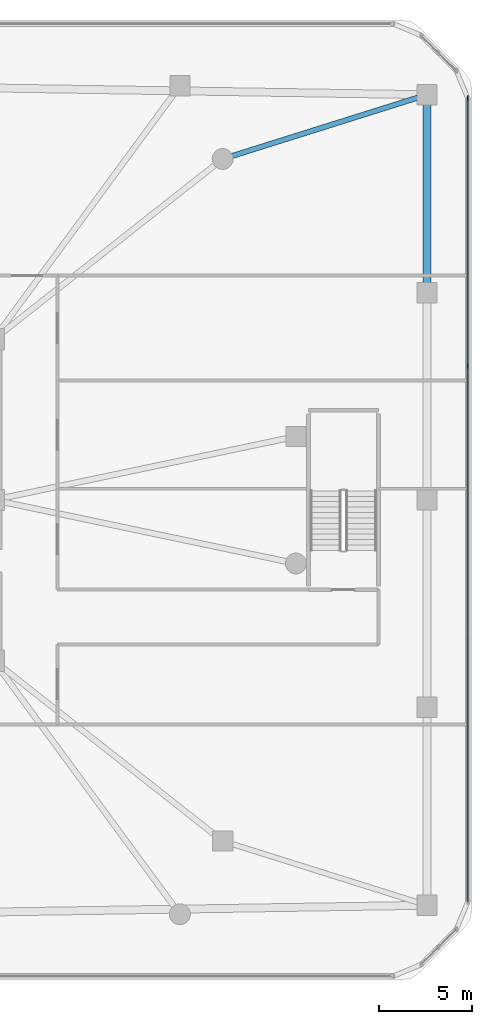
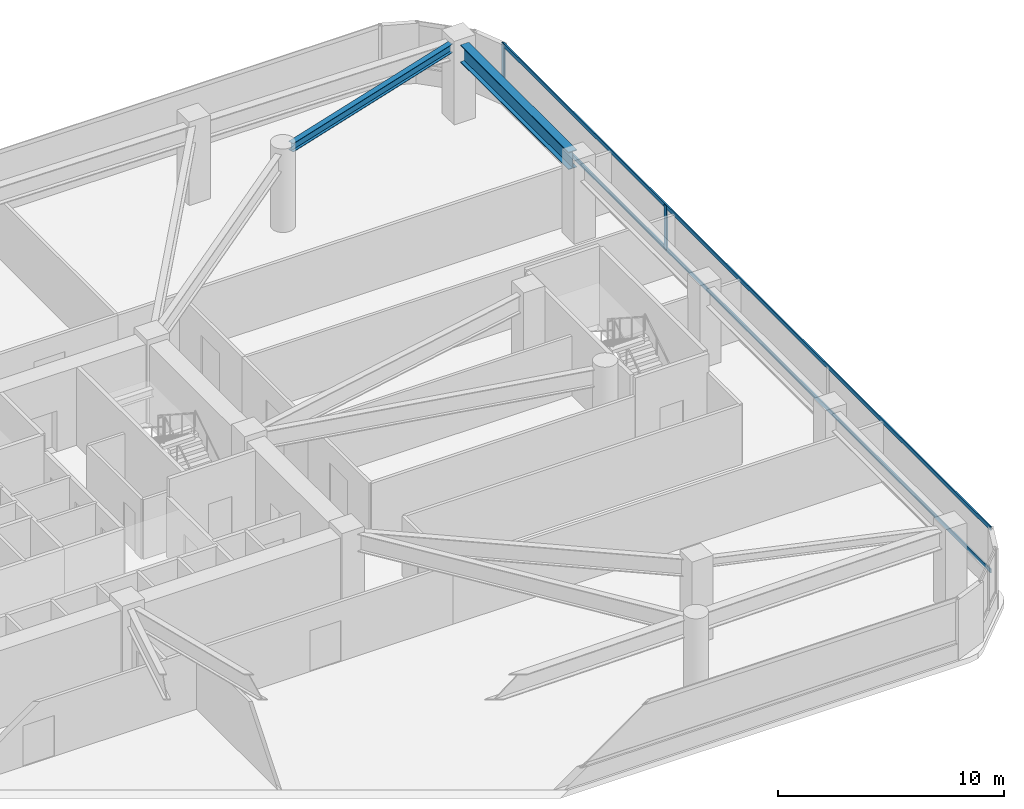
# One storey, part 10 of 21: 4 members, 2 beams, 1 element without a shape of its own.
"""IFC4 building model written with IfcOpenShell, lengths in metres."""

from ifc_helpers import new_model, si_unit, derived_unit, direction, frame, origin, origin_2d, place, context, subcontext, project, spatial, rectangle, i_section, extrude, material, material_profile, profile_set, type_object, element, aggregate, save


model = new_model("IFC4")

# Units and contexts
model_context = context("Model", 3, precision=1e-05, world=origin(), true_north=direction((0.0, 1.0)))
body_context = subcontext(model_context, "Body", "Model", "MODEL_VIEW")
ifc_project = project(units=[si_unit("LENGTHUNIT", "METRE"), si_unit("AREAUNIT", "SQUARE_METRE"), si_unit("VOLUMEUNIT", "CUBIC_METRE"), si_unit("PLANEANGLEUNIT", "RADIAN"), si_unit("MASSUNIT", "GRAM", prefix="KILO"), derived_unit("THERMALTRANSMITTANCEUNIT", [(si_unit("POWERUNIT", "WATT"), 1), (si_unit("LENGTHUNIT", "METRE"), -2), (si_unit("THERMODYNAMICTEMPERATUREUNIT", "KELVIN"), -1)])], contexts=[model_context])

# Site, building, storey
site_placement = place(None, origin())
site = spatial("IfcSite", under=ifc_project, at=site_placement, CompositionType="ELEMENT")
building_placement = place(site_placement, origin())
building = spatial("IfcBuilding", under=site, at=building_placement, Name="Koralith Skygarden Medical Center", CompositionType="ELEMENT")
storey_placement = place(building_placement, frame((0.0, 0.0, 14.39990234375)))
storey = spatial("IfcBuildingStorey", under=building, at=storey_placement, Name="L03", CompositionType="ELEMENT", Elevation=14.39990234375)

# Curtain wall, members
ifc_material_1 = material(Name="Clear Laminated Glass", Category="glass")
curtain_wall_type = type_object("IfcCurtainWallType", Name="CW-1 Transit & Podium Acoustic Curtain Wall", PredefinedType="NOTDEFINED", material=ifc_material_1)
curtain_wall_placement = place(storey_placement, origin())
curtain_wall = element("IfcCurtainWall", 1, at=curtain_wall_placement, inside=storey, type_object=curtain_wall_type, Name="Curtain Wall CW-L03-E", PredefinedType="NOTDEFINED")
ifc_material_2 = material(Name="Aluminium 6063-T6", Category="aluminium")
ifc_material_profile_1 = material_profile(ifc_material_2, rectangle(XDim=0.068115234375, YDim=0.239990234375, at=origin_2d()), Name="MUL68X240")
ifc_profile_set_1 = profile_set([ifc_material_profile_1], Name="Aluminium 6063-T6")
member_type_1 = type_object("IfcMemberType", Name="CW-1 Extruded Mullion 68x240", PredefinedType="MULLION", material=ifc_profile_set_1)
member_1_placement = place(storey_placement, frame((73.580078125, 33.073974609375, 0.85009765625), z_axis=(0.0, 0.0, 1.0), x_axis=(1.0, 0.0, 0.0)))
member_1 = element("IfcMember", 2, at=member_1_placement, type_object=member_type_1, Name="CW-L03-E Mullion 3", PredefinedType="MULLION", context=body_context, shape_type="SweptSolid", body=[
    extrude(rectangle(XDim=0.068115234375, YDim=0.239990234375, at=origin_2d()), origin(), (0.0, 0.0, 1.0), 2.389892578125),
])
member_2_placement = place(storey_placement, frame((73.580078125, 47.4208984375, 0.85009765625), z_axis=(0.0, 0.0, 1.0), x_axis=(1.0, 0.0, 0.0)))
member_2 = element("IfcMember", 3, at=member_2_placement, type_object=member_type_1, Name="CW-L03-E Mullion 4", PredefinedType="MULLION", context=body_context, shape_type="SweptSolid", body=[
    extrude(rectangle(XDim=0.068115234375, YDim=0.239990234375, at=origin_2d()), origin(), (0.0, 0.0, 1.0), 2.389892578125),
])
ifc_material_profile_2 = material_profile(ifc_material_2, rectangle(XDim=0.06298828125, YDim=0.216064453125, at=origin_2d()), Name="TRN63X216")
ifc_profile_set_2 = profile_set([ifc_material_profile_2], Name="Aluminium 6063-T6")
member_type_2 = type_object("IfcMemberType", Name="CW-1 Thermal Transom 63x216", PredefinedType="USERDEFINED", material=ifc_profile_set_2)
member_3_placement = place(storey_placement, frame((73.580078125, 4.37890625, 0.900146484375), z_axis=(0.0, 1.0, 0.0), x_axis=(-1.0, 0.0, 0.0)))
member_3 = element("IfcMember", 4, at=member_3_placement, type_object=member_type_2, Name="CW-L03-E Transom 1", ObjectType="TRANSOM", PredefinedType="USERDEFINED", context=body_context, shape_type="SweptSolid", body=[
    extrude(rectangle(XDim=0.06298828125, YDim=0.216064453125, at=origin_2d()), origin(), (0.0, 0.0, 1.0), 43.0419921875),
])
member_4_placement = place(storey_placement, frame((73.580078125, 4.37890625, 3.190185546875), z_axis=(0.0, 1.0, 0.0), x_axis=(-1.0, 0.0, 0.0)))
member_4 = element("IfcMember", 5, at=member_4_placement, type_object=member_type_2, Name="CW-L03-E Transom 2", ObjectType="TRANSOM", PredefinedType="USERDEFINED", context=body_context, shape_type="SweptSolid", body=[
    extrude(rectangle(XDim=0.06298828125, YDim=0.216064453125, at=origin_2d()), origin(), (0.0, 0.0, 1.0), 43.0419921875),
])
aggregate(curtain_wall, [member_1, member_2, member_3, member_4])

# Beams
ifc_material_3 = material(Name="Steel ASTM A992 Grade 50", Category="steel")
ifc_material_profile_3 = material_profile(ifc_material_3, i_section(OverallWidth=0.423095703125, OverallDepth=0.947998046875, WebThickness=0.02392578125, FlangeThickness=0.042724609375, at=origin_2d()), Name="W36X302")
ifc_profile_set_3 = profile_set([ifc_material_profile_3], Name="Steel ASTM A992 Grade 50")
beam_type_1 = type_object("IfcBeamType", Name="Podium Concourse Girder W36X302", PredefinedType="BEAM", material=ifc_profile_set_3)
beam_1_placement = place(storey_placement, frame((71.39990234375, 37.52001953125, 3.72607421875), z_axis=(0.0, 1.0, 0.0), x_axis=(-1.0, 0.0, 0.0)))
element("IfcBeam", 6, at=beam_1_placement, inside=storey, type_object=beam_type_1, Name="L03 Podium Perimeter Beam PB-08", PredefinedType="BEAM", context=body_context, shape_type="SweptSolid", body=[
    extrude(i_section(OverallWidth=0.423095703125, OverallDepth=0.947998046875, WebThickness=0.02392578125, FlangeThickness=0.042724609375, at=origin_2d()), origin(), (0.0, 0.0, 1.0), 9.56005859375),
])
ifc_material_profile_4 = material_profile(ifc_material_3, i_section(OverallWidth=0.281982421875, OverallDepth=0.467041015625, WebThickness=0.01220703125, FlangeThickness=0.01953125, at=origin_2d()), Name="W18X86")
ifc_profile_set_4 = profile_set([ifc_material_profile_4], Name="Steel ASTM A992 Grade 50")
beam_type_2 = type_object("IfcBeamType", Name="Podium Floor Joist W18X86", PredefinedType="JOIST", material=ifc_profile_set_4)
beam_2_placement = place(storey_placement, frame((60.9560546875, 44.31591796875, 3.967041015625), z_axis=(0.95394817002, 0.29997148017, 0.0), x_axis=(-0.29997148017, 0.95394817002, 0.0)))
element("IfcBeam", 7, at=beam_2_placement, inside=storey, type_object=beam_type_2, Name="L03 Podium Floor Joist PJ-04", PredefinedType="JOIST", context=body_context, shape_type="SweptSolid", body=[
    extrude(i_section(OverallWidth=0.281982421875, OverallDepth=0.467041015625, WebThickness=0.01220703125, FlangeThickness=0.01953125, at=origin_2d()), origin(), (0.0, 0.0, 1.0), 10.42822265625),
])

save(model, "model.ifc")
